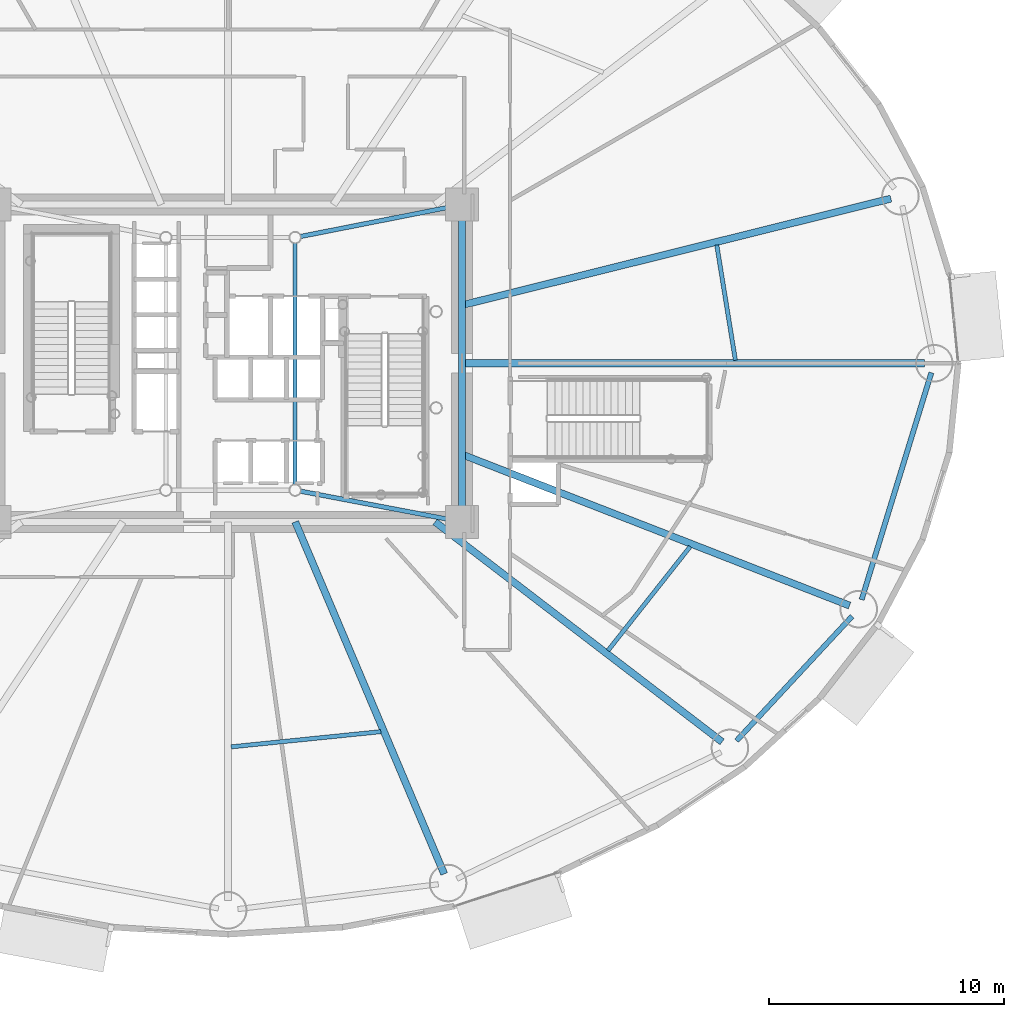
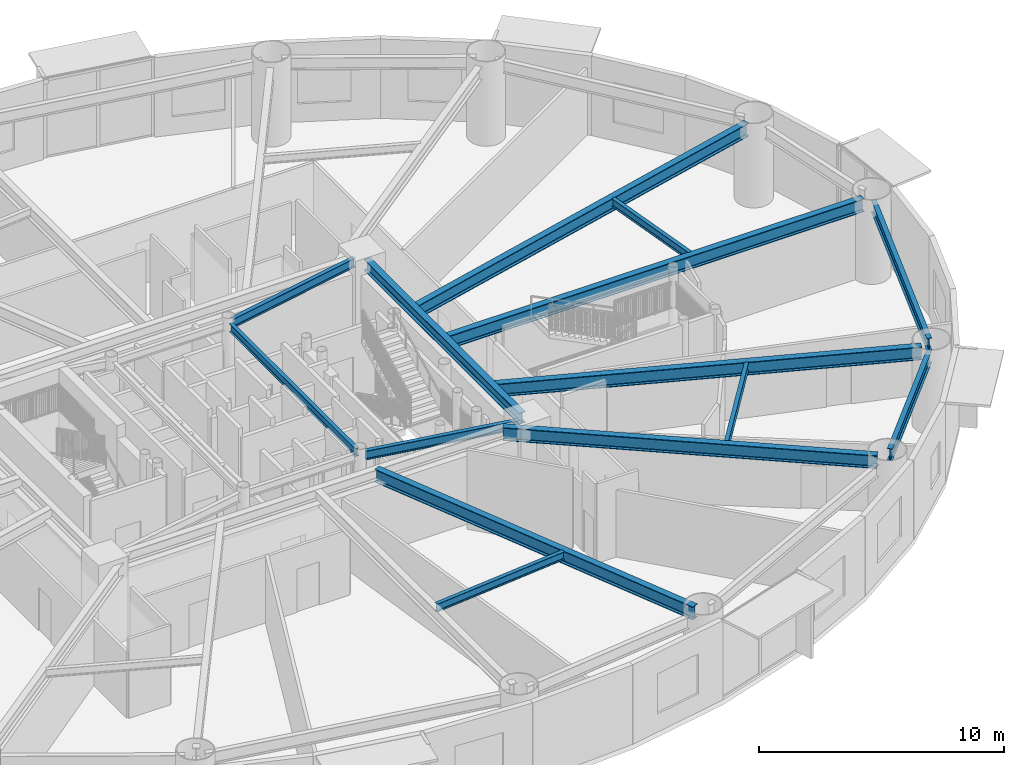
# One storey, part 8 of 32: 14 beams.
"""IFC4 building model written with IfcOpenShell, lengths in metres."""

from ifc_helpers import new_model, si_unit, direction, frame, origin, origin_2d, place, context, subcontext, project, spatial, i_section, extrude, material, material_profile, profile_set, type_object, element, save


model = new_model("IFC4")

# Units and contexts
model_context = context("Model", 3, precision=1e-05, world=origin(), true_north=direction((0.0, 1.0)))
body_context = subcontext(model_context, "Body", "Model", "MODEL_VIEW")
ifc_project = project(units=[si_unit("LENGTHUNIT", "METRE"), si_unit("AREAUNIT", "SQUARE_METRE"), si_unit("VOLUMEUNIT", "CUBIC_METRE"), si_unit("PLANEANGLEUNIT", "RADIAN"), si_unit("MASSUNIT", "GRAM", prefix="KILO")], contexts=[model_context])

# Site, building, storey
site_placement = place(None, origin())
site = spatial("IfcSite", under=ifc_project, at=site_placement, CompositionType="ELEMENT")
building_placement = place(site_placement, origin())
building = spatial("IfcBuilding", under=site, at=building_placement, Name="Linh Dai School and Residence Tower", CompositionType="ELEMENT")
storey_placement = place(building_placement, frame((0.0, 0.0, 40.800048828125)))
storey = spatial("IfcBuildingStorey", under=building, at=storey_placement, Name="L09", CompositionType="ELEMENT", Elevation=40.800048828125)

# Beams
ifc_material = material(Name="Structural Steel S355JR", Category="steel")
ifc_material_profile_1 = material_profile(ifc_material, i_section(OverallWidth=0.219970703125, OverallDepth=0.60009765625, WebThickness=0.011962890625, FlangeThickness=0.01904296875, FilletRadius=0.02392578125, at=origin_2d()), Name="IPE 600")
ifc_profile_set_1 = profile_set([ifc_material_profile_1], Name="Structural Steel S355JR")
beam_type_1 = type_object("IfcBeamType", Name="BM-RB60", PredefinedType="BEAM", material=ifc_profile_set_1)
beam_1_placement = place(storey_placement, frame((57.638427734375, 10.938720703125, 3.64990234375), z_axis=(0.680408287194, 0.732833243458, 0.0), x_axis=(-0.732833243458, 0.680408287194, 0.0)))
element("IfcBeam", 1, at=beam_1_placement, inside=storey, type_object=beam_type_1, Name="L09 Perimeter Elliptical Ring Beam 15", PredefinedType="BEAM", context=body_context, shape_type="SweptSolid", body=[
    extrude(i_section(OverallWidth=0.219970703125, OverallDepth=0.60009765625, WebThickness=0.011962890625, FlangeThickness=0.01904296875, FilletRadius=0.02392578125, at=origin_2d()), origin(), (0.0, 0.0, 1.0), 7.21826171875),
])
beam_2_placement = place(storey_placement, frame((62.958740234375, 16.937744140625, 3.64990234375), z_axis=(0.293673329015, 0.95590584046, 0.0), x_axis=(-0.95590584046, 0.293673329015, 0.0)))
element("IfcBeam", 2, at=beam_2_placement, inside=storey, type_object=beam_type_1, Name="L09 Perimeter Elliptical Ring Beam 16", PredefinedType="BEAM", context=body_context, shape_type="SweptSolid", body=[
    extrude(i_section(OverallWidth=0.219970703125, OverallDepth=0.60009765625, WebThickness=0.011962890625, FlangeThickness=0.01904296875, FilletRadius=0.02392578125, at=origin_2d()), origin(), (0.0, 0.0, 1.0), 10.1064453125),
])
ifc_material_profile_2 = material_profile(ifc_material, i_section(OverallWidth=0.300048828125, OverallDepth=0.550048828125, WebThickness=0.014892578125, FlangeThickness=0.029052734375, FilletRadius=0.027099609375, at=origin_2d()), Name="HEB 550")
ifc_profile_set_2 = profile_set([ifc_material_profile_2], Name="Structural Steel S355JR")
beam_type_2 = type_object("IfcBeamType", Name="BM-RG55", PredefinedType="BEAM", material=ifc_profile_set_2)
beam_3_placement = place(storey_placement, frame((45.949951171875, 20.669921875, 3.675048828125), z_axis=(0.0, 1.0, 0.0), x_axis=(-1.0, 0.0, 0.0)))
element("IfcBeam", 3, at=beam_3_placement, inside=storey, type_object=beam_type_2, Name="L09 Core Perimeter Coupling Girder 2", PredefinedType="BEAM", context=body_context, shape_type="SweptSolid", body=[
    extrude(i_section(OverallWidth=0.300048828125, OverallDepth=0.550048828125, WebThickness=0.014892578125, FlangeThickness=0.029052734375, FilletRadius=0.027099609375, at=origin_2d()), origin(), (0.0, 0.0, 1.0), 12.66015625),
])
ifc_material_profile_3 = material_profile(ifc_material, i_section(OverallWidth=0.300048828125, OverallDepth=0.64990234375, WebThickness=0.01611328125, FlangeThickness=0.031005859375, FilletRadius=0.027099609375, at=origin_2d()), Name="HEB 650")
ifc_profile_set_3 = profile_set([ifc_material_profile_3], Name="Structural Steel S355JR")
beam_type_3 = type_object("IfcBeamType", Name="BM-RG65", PredefinedType="BEAM", material=ifc_profile_set_3)
beam_4_placement = place(storey_placement, frame((45.949951171875, 27.0, 3.625), z_axis=(1.0, 0.0, 0.0), x_axis=(0.0, 1.0, 0.0)))
element("IfcBeam", 4, at=beam_4_placement, inside=storey, type_object=beam_type_3, Name="L09 Primary Radial Floor Girder 01", PredefinedType="BEAM", context=body_context, shape_type="SweptSolid", body=[
    extrude(i_section(OverallWidth=0.300048828125, OverallDepth=0.64990234375, WebThickness=0.01611328125, FlangeThickness=0.031005859375, FilletRadius=0.027099609375, at=origin_2d()), origin(), (0.0, 0.0, 1.0), 19.679931640625),
])
beam_5_placement = place(storey_placement, frame((45.949951171875, 29.47216796875, 3.625), z_axis=(0.970493481328, 0.241127357843, 0.0), x_axis=(-0.241127357843, 0.970493481328, 0.0)))
element("IfcBeam", 5, at=beam_5_placement, inside=storey, type_object=beam_type_3, Name="L09 Primary Radial Floor Girder 02", PredefinedType="BEAM", context=body_context, shape_type="SweptSolid", body=[
    extrude(i_section(OverallWidth=0.300048828125, OverallDepth=0.64990234375, WebThickness=0.01611328125, FlangeThickness=0.031005859375, FilletRadius=0.027099609375, at=origin_2d()), origin(), (0.0, 0.0, 1.0), 18.80810546875),
])
beam_6_placement = place(storey_placement, frame((38.85546875, 20.25, 3.625), z_axis=(0.38962432485, -0.920973878829, 0.0), x_axis=(0.920973878829, 0.38962432485, 0.0)))
element("IfcBeam", 6, at=beam_6_placement, inside=storey, type_object=beam_type_3, Name="L09 Primary Radial Floor Girder 14", PredefinedType="BEAM", context=body_context, shape_type="SweptSolid", body=[
    extrude(i_section(OverallWidth=0.300048828125, OverallDepth=0.64990234375, WebThickness=0.01611328125, FlangeThickness=0.031005859375, FilletRadius=0.027099609375, at=origin_2d()), origin(), (0.0, 0.0, 1.0), 16.2685546875),
])
beam_7_placement = place(storey_placement, frame((44.804931640625, 20.25, 3.625), z_axis=(0.793637764155, -0.608390581212, 0.0), x_axis=(0.608390581212, 0.793637764155, 0.0)))
element("IfcBeam", 7, at=beam_7_placement, inside=storey, type_object=beam_type_3, Name="L09 Primary Radial Floor Girder 15", PredefinedType="BEAM", context=body_context, shape_type="SweptSolid", body=[
    extrude(i_section(OverallWidth=0.300048828125, OverallDepth=0.64990234375, WebThickness=0.01611328125, FlangeThickness=0.031005859375, FilletRadius=0.027099609375, at=origin_2d()), origin(), (0.0, 0.0, 1.0), 15.390625),
])
beam_8_placement = place(storey_placement, frame((45.949951171875, 23.120361328125, 3.625), z_axis=(0.93167509369, -0.363292609061, 0.0), x_axis=(0.363292609061, 0.93167509369, 0.0)))
element("IfcBeam", 8, at=beam_8_placement, inside=storey, type_object=beam_type_3, Name="L09 Primary Radial Floor Girder 16", PredefinedType="BEAM", context=body_context, shape_type="SweptSolid", body=[
    extrude(i_section(OverallWidth=0.300048828125, OverallDepth=0.64990234375, WebThickness=0.01611328125, FlangeThickness=0.031005859375, FilletRadius=0.027099609375, at=origin_2d()), origin(), (0.0, 0.0, 1.0), 17.703857421875),
])
ifc_material_profile_4 = material_profile(ifc_material, i_section(OverallWidth=0.179931640625, OverallDepth=0.39990234375, WebThickness=0.008544921875, FlangeThickness=0.013427734375, FilletRadius=0.02099609375, at=origin_2d()), Name="IPE 400")
ifc_profile_set_4 = profile_set([ifc_material_profile_4], Name="Structural Steel S355JR")
beam_type_4 = type_object("IfcBeamType", Name="BM-SB40", PredefinedType="BEAM", material=ifc_profile_set_4)
beam_9_placement = place(storey_placement, frame((38.85009765625, 21.823974609375, 3.75), z_axis=(0.0, 1.0, 0.0), x_axis=(-1.0, 0.0, 0.0)))
element("IfcBeam", 9, at=beam_9_placement, inside=storey, type_object=beam_type_4, Name="L09 Core Mast Pier Tie Beam 2", PredefinedType="BEAM", context=body_context, shape_type="SweptSolid", body=[
    extrude(i_section(OverallWidth=0.179931640625, OverallDepth=0.39990234375, WebThickness=0.008544921875, FlangeThickness=0.013427734375, FilletRadius=0.02099609375, at=origin_2d()), origin(), (0.0, 0.0, 1.0), 10.302001953125),
])
beam_10_placement = place(storey_placement, frame((57.587158203125, 27.12841796875, 3.75), z_axis=(-0.159655745546, 0.987172752316, 0.0), x_axis=(-0.987172752316, -0.159655745546, 0.0)))
element("IfcBeam", 10, at=beam_10_placement, inside=storey, type_object=beam_type_4, Name="L09 Secondary Circumferential Floor Beam 01", PredefinedType="BEAM", context=body_context, shape_type="SweptSolid", body=[
    extrude(i_section(OverallWidth=0.179931640625, OverallDepth=0.39990234375, WebThickness=0.008544921875, FlangeThickness=0.013427734375, FilletRadius=0.02099609375, at=origin_2d()), origin(), (0.0, 0.0, 1.0), 4.96826171875),
])
beam_11_placement = place(storey_placement, frame((36.12939453125, 10.67578125, 3.75), z_axis=(0.994886521003, 0.100999061019, 0.0), x_axis=(-0.100999061019, 0.994886521003, 0.0)))
element("IfcBeam", 11, at=beam_11_placement, inside=storey, type_object=beam_type_4, Name="L09 Secondary Circumferential Floor Beam 07", PredefinedType="BEAM", context=body_context, shape_type="SweptSolid", body=[
    extrude(i_section(OverallWidth=0.179931640625, OverallDepth=0.39990234375, WebThickness=0.008544921875, FlangeThickness=0.013427734375, FilletRadius=0.02099609375, at=origin_2d()), origin(), (0.0, 0.0, 1.0), 6.40087890625),
])
beam_12_placement = place(storey_placement, frame((52.163330078125, 14.77294921875, 3.75), z_axis=(0.620205247605, 0.78443957756, 0.0), x_axis=(-0.78443957756, 0.620205247605, 0.0)))
element("IfcBeam", 12, at=beam_12_placement, inside=storey, type_object=beam_type_4, Name="L09 Secondary Circumferential Floor Beam 08", PredefinedType="BEAM", context=body_context, shape_type="SweptSolid", body=[
    extrude(i_section(OverallWidth=0.179931640625, OverallDepth=0.39990234375, WebThickness=0.008544921875, FlangeThickness=0.013427734375, FilletRadius=0.02099609375, at=origin_2d()), origin(), (0.0, 0.0, 1.0), 5.642822265625),
])
ifc_material_profile_5 = material_profile(ifc_material, i_section(OverallWidth=0.18994140625, OverallDepth=0.449951171875, WebThickness=0.009521484375, FlangeThickness=0.0146484375, FilletRadius=0.02099609375, at=origin_2d()), Name="IPE 450")
ifc_profile_set_5 = profile_set([ifc_material_profile_5], Name="Structural Steel S355JR")
beam_type_5 = type_object("IfcBeamType", Name="BM-SB45", PredefinedType="BEAM", material=ifc_profile_set_5)
beam_13_placement = place(storey_placement, frame((45.537353515625, 20.328369140625, 3.724853515625), z_axis=(-0.982397918823, 0.186800238471, 0.0), x_axis=(-0.186800238471, -0.982397918823, 0.0)))
element("IfcBeam", 13, at=beam_13_placement, inside=storey, type_object=beam_type_5, Name="L09 Core Corner-to-Mast Pier Beam 2", PredefinedType="BEAM", context=body_context, shape_type="SweptSolid", body=[
    extrude(i_section(OverallWidth=0.18994140625, OverallDepth=0.449951171875, WebThickness=0.009521484375, FlangeThickness=0.0146484375, FilletRadius=0.02099609375, at=origin_2d()), origin(), (0.0, 0.0, 1.0), 6.583251953125),
])
beam_14_placement = place(storey_placement, frame((45.537841796875, 33.668701171875, 3.724853515625), z_axis=(-0.981108354988, -0.193459028666, 0.0), x_axis=(0.193459028666, -0.981108354988, 0.0)))
element("IfcBeam", 14, at=beam_14_placement, inside=storey, type_object=beam_type_5, Name="L09 Core Corner-to-Mast Pier Beam 3", PredefinedType="BEAM", context=body_context, shape_type="SweptSolid", body=[
    extrude(i_section(OverallWidth=0.18994140625, OverallDepth=0.449951171875, WebThickness=0.009521484375, FlangeThickness=0.0146484375, FilletRadius=0.02099609375, at=origin_2d()), origin(), (0.0, 0.0, 1.0), 6.592529296875),
])

save(model, "model.ifc")
